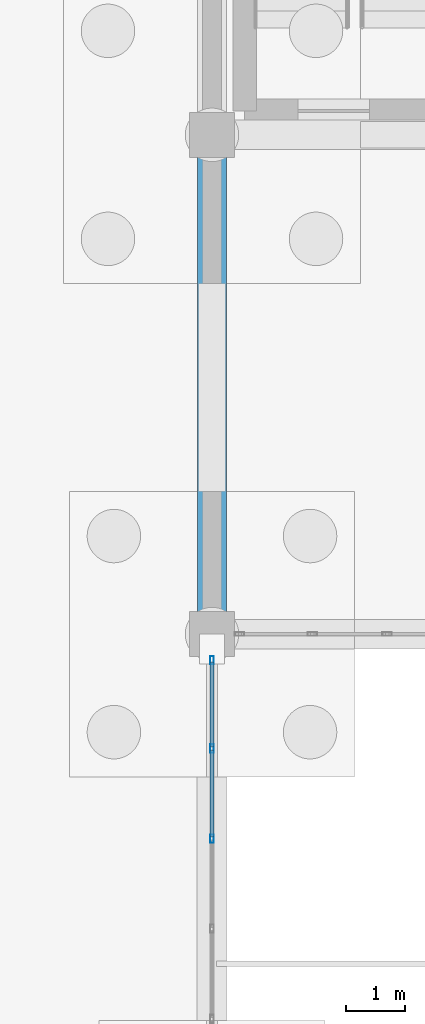
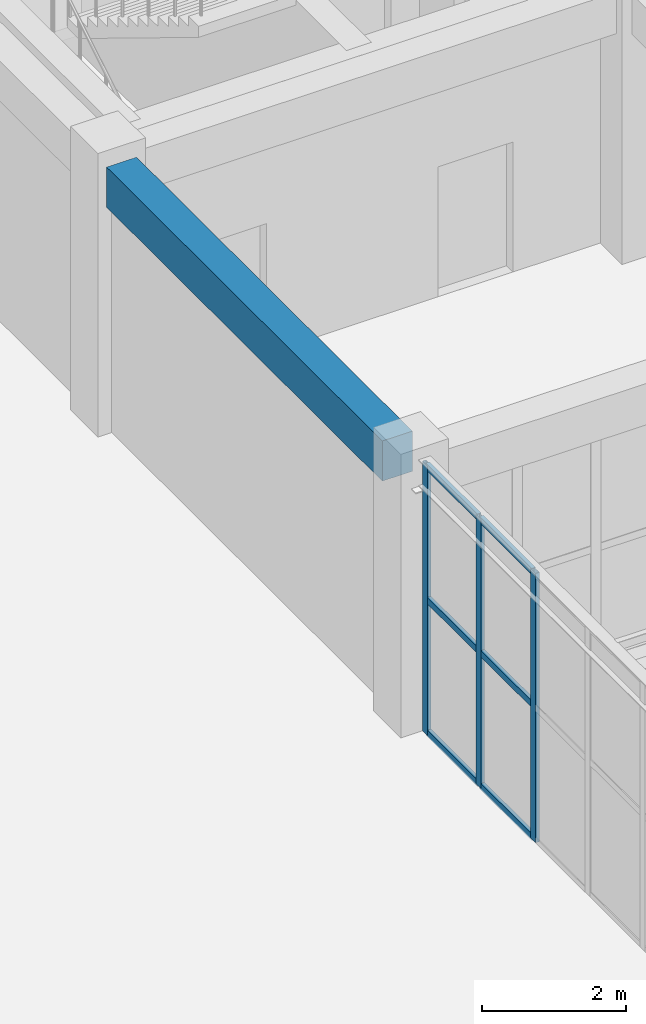
# One storey, part 63 of 192: 9 members, 1 beam, 1 element without a shape of its own.
"""IFC4 building model written with IfcOpenShell, lengths in metres."""

from ifc_helpers import new_model, si_unit, direction, frame, origin, origin_2d, place, context, subcontext, project, spatial, rectangle, hollow_rectangle, extrude, material, layer, layer_set, material_profile, profile_set, type_object, element, aggregate, save


model = new_model("IFC4")

# Units and contexts
model_context = context("Model", 3, precision=1e-05, world=origin(), true_north=direction((0.0, 1.0)))
body_context = subcontext(model_context, "Body", "Model", "MODEL_VIEW")
ifc_project = project(units=[si_unit("LENGTHUNIT", "METRE"), si_unit("AREAUNIT", "SQUARE_METRE"), si_unit("VOLUMEUNIT", "CUBIC_METRE"), si_unit("PLANEANGLEUNIT", "RADIAN"), si_unit("MASSUNIT", "GRAM", prefix="KILO")], contexts=[model_context])

# Site, building, storey
site_placement = place(None, origin())
site = spatial("IfcSite", under=ifc_project, at=site_placement, CompositionType="ELEMENT")
building_placement = place(site_placement, origin())
building = spatial("IfcBuilding", under=site, at=building_placement, Name="Trelvath General Hospital", CompositionType="ELEMENT")
storey_placement = place(building_placement, origin())
storey = spatial("IfcBuildingStorey", under=building, at=storey_placement, Name="L00", CompositionType="ELEMENT", Elevation=0.0)

# Beam
ifc_material_1 = material(Name="Concrete C35/45", Category="concrete")
ifc_material_profile_1 = material_profile(ifc_material_1, rectangle(XDim=0.47998046875, YDim=0.679931640625, at=origin_2d()), Name="RCB480x680")
ifc_profile_set_1 = profile_set([ifc_material_profile_1], Name="Concrete C35/45")
beam_type = type_object("IfcBeamType", Name="Beam RC480x680", PredefinedType="BEAM", material=ifc_profile_set_1)
beam_placement = place(storey_placement, frame((75.60009765625, 42.375, 4.179931640625), z_axis=(0.0, 1.0, 0.0), x_axis=(-1.0, 0.0, 0.0)))
element("IfcBeam", 1, at=beam_placement, inside=storey, type_object=beam_type, Name="Grid Beam BY-009F", PredefinedType="BEAM", context=body_context, shape_type="SweptSolid", body=[
    extrude(rectangle(XDim=0.47998046875, YDim=0.679931640625, at=origin_2d()), origin(), (0.0, 0.0, 1.0), 7.64990234375),
])

# Curtain wall, members
ifc_material_2 = material(Name="Anodised aluminium and low-E glass", Category="aluminium")
ifc_layer = layer(ifc_material_2, 0.139892578125)
ifc_layer_set = layer_set([ifc_layer], Name="Anodised aluminium and low-E glass")
curtain_wall_type = type_object("IfcCurtainWallType", Name="CW CrystalCube 758 456 14", PredefinedType="USERDEFINED", material=ifc_layer_set)
curtain_wall_placement = place(storey_placement, origin())
curtain_wall = element("IfcCurtainWall", 2, at=curtain_wall_placement, inside=storey, type_object=curtain_wall_type, Name="Crystal Cube Curtain Wall CUBE-W-T0 E2 L00", ObjectType="Unitised Glazed Curtain Wall", PredefinedType="USERDEFINED")
ifc_material_3 = material(Name="Anodised aluminium", Category="aluminium")
ifc_material_profile_2 = material_profile(ifc_material_3, hollow_rectangle(XDim=0.06005859375, YDim=0.139892578125, WallThickness=0.00390625, at=origin_2d()), Name="RHS60x140x4")
ifc_profile_set_2 = profile_set([ifc_material_profile_2], Name="Anodised aluminium")
member_type_1 = type_object("IfcMemberType", Name="CurtainMullion 60x140", PredefinedType="MULLION", material=ifc_profile_set_2)
member_1_placement = place(storey_placement, frame((75.60009765625, 41.56005859375, 0.0), z_axis=(0.0, 0.0, 1.0), x_axis=(1.0, 0.0, 0.0)))
member_1 = element("IfcMember", 3, at=member_1_placement, type_object=member_type_1, Name="CW-097 mullion 1", PredefinedType="MULLION", context=body_context, shape_type="SweptSolid", body=[
    extrude(hollow_rectangle(XDim=0.06005859375, YDim=0.139892578125, WallThickness=0.00390625, at=origin_2d()), origin(), (0.0, 0.0, 1.0), 4.56005859375),
])
member_2_placement = place(storey_placement, frame((75.60009765625, 40.073974609375, 0.0), z_axis=(0.0, 0.0, 1.0), x_axis=(1.0, 0.0, 0.0)))
member_2 = element("IfcMember", 4, at=member_2_placement, type_object=member_type_1, Name="CW-097 mullion 2", PredefinedType="MULLION", context=body_context, shape_type="SweptSolid", body=[
    extrude(hollow_rectangle(XDim=0.06005859375, YDim=0.139892578125, WallThickness=0.00390625, at=origin_2d()), origin(), (0.0, 0.0, 1.0), 4.56005859375),
])
member_3_placement = place(storey_placement, frame((75.60009765625, 38.55810546875, 0.0), z_axis=(0.0, 0.0, 1.0), x_axis=(1.0, 0.0, 0.0)))
member_3 = element("IfcMember", 5, at=member_3_placement, type_object=member_type_1, Name="CW-097 mullion 3", PredefinedType="MULLION", context=body_context, shape_type="SweptSolid", body=[
    extrude(hollow_rectangle(XDim=0.06005859375, YDim=0.139892578125, WallThickness=0.00390625, at=origin_2d()), origin(), (0.0, 0.0, 1.0), 4.56005859375),
])
ifc_material_4 = material(Name="Anodised aluminium", Category="aluminium")
ifc_material_profile_3 = material_profile(ifc_material_4, hollow_rectangle(XDim=0.06005859375, YDim=0.110107421875, WallThickness=0.00390625, at=origin_2d()), Name="RHS60x110x4")
ifc_profile_set_3 = profile_set([ifc_material_profile_3], Name="Anodised aluminium")
member_type_2 = type_object("IfcMemberType", Name="CurtainTransom 60x110", PredefinedType="USERDEFINED", material=ifc_profile_set_3)
member_4_placement = place(storey_placement, frame((75.60009765625, 41.530029296875, 0.030029296875), z_axis=(0.0, -1.0, 0.0), x_axis=(1.0, 0.0, 0.0)))
member_4 = element("IfcMember", 6, at=member_4_placement, type_object=member_type_2, Name="CW-097 transom 1.1", ObjectType="TRANSOM", PredefinedType="USERDEFINED", context=body_context, shape_type="SweptSolid", body=[
    extrude(hollow_rectangle(XDim=0.06005859375, YDim=0.110107421875, WallThickness=0.00390625, at=origin_2d()), origin(), (0.0, 0.0, 1.0), 1.426025390625),
])
member_5_placement = place(storey_placement, frame((75.60009765625, 41.530029296875, 2.280029296875), z_axis=(0.0, -1.0, 0.0), x_axis=(1.0, 0.0, 0.0)))
member_5 = element("IfcMember", 7, at=member_5_placement, type_object=member_type_2, Name="CW-097 transom 1.2", ObjectType="TRANSOM", PredefinedType="USERDEFINED", context=body_context, shape_type="SweptSolid", body=[
    extrude(hollow_rectangle(XDim=0.06005859375, YDim=0.110107421875, WallThickness=0.00390625, at=origin_2d()), origin(), (0.0, 0.0, 1.0), 1.426025390625),
])
member_6_placement = place(storey_placement, frame((75.60009765625, 41.530029296875, 4.530029296875), z_axis=(0.0, -1.0, 0.0), x_axis=(1.0, 0.0, 0.0)))
member_6 = element("IfcMember", 8, at=member_6_placement, type_object=member_type_2, Name="CW-097 transom 1.3", ObjectType="TRANSOM", PredefinedType="USERDEFINED", context=body_context, shape_type="SweptSolid", body=[
    extrude(hollow_rectangle(XDim=0.06005859375, YDim=0.110107421875, WallThickness=0.00390625, at=origin_2d()), origin(), (0.0, 0.0, 1.0), 1.426025390625),
])
member_7_placement = place(storey_placement, frame((75.60009765625, 40.0439453125, 0.030029296875), z_axis=(0.0, -1.0, 0.0), x_axis=(1.0, 0.0, 0.0)))
member_7 = element("IfcMember", 9, at=member_7_placement, type_object=member_type_2, Name="CW-097 transom 2.1", ObjectType="TRANSOM", PredefinedType="USERDEFINED", context=body_context, shape_type="SweptSolid", body=[
    extrude(hollow_rectangle(XDim=0.06005859375, YDim=0.110107421875, WallThickness=0.00390625, at=origin_2d()), origin(), (0.0, 0.0, 1.0), 1.4560546875),
])
member_8_placement = place(storey_placement, frame((75.60009765625, 40.0439453125, 2.280029296875), z_axis=(0.0, -1.0, 0.0), x_axis=(1.0, 0.0, 0.0)))
member_8 = element("IfcMember", 10, at=member_8_placement, type_object=member_type_2, Name="CW-097 transom 2.2", ObjectType="TRANSOM", PredefinedType="USERDEFINED", context=body_context, shape_type="SweptSolid", body=[
    extrude(hollow_rectangle(XDim=0.06005859375, YDim=0.110107421875, WallThickness=0.00390625, at=origin_2d()), origin(), (0.0, 0.0, 1.0), 1.4560546875),
])
member_9_placement = place(storey_placement, frame((75.60009765625, 40.0439453125, 4.530029296875), z_axis=(0.0, -1.0, 0.0), x_axis=(1.0, 0.0, 0.0)))
member_9 = element("IfcMember", 11, at=member_9_placement, type_object=member_type_2, Name="CW-097 transom 2.3", ObjectType="TRANSOM", PredefinedType="USERDEFINED", context=body_context, shape_type="SweptSolid", body=[
    extrude(hollow_rectangle(XDim=0.06005859375, YDim=0.110107421875, WallThickness=0.00390625, at=origin_2d()), origin(), (0.0, 0.0, 1.0), 1.4560546875),
])
aggregate(curtain_wall, [member_1, member_2, member_3, member_4, member_5, member_6, member_7, member_8, member_9])

save(model, "model.ifc")
